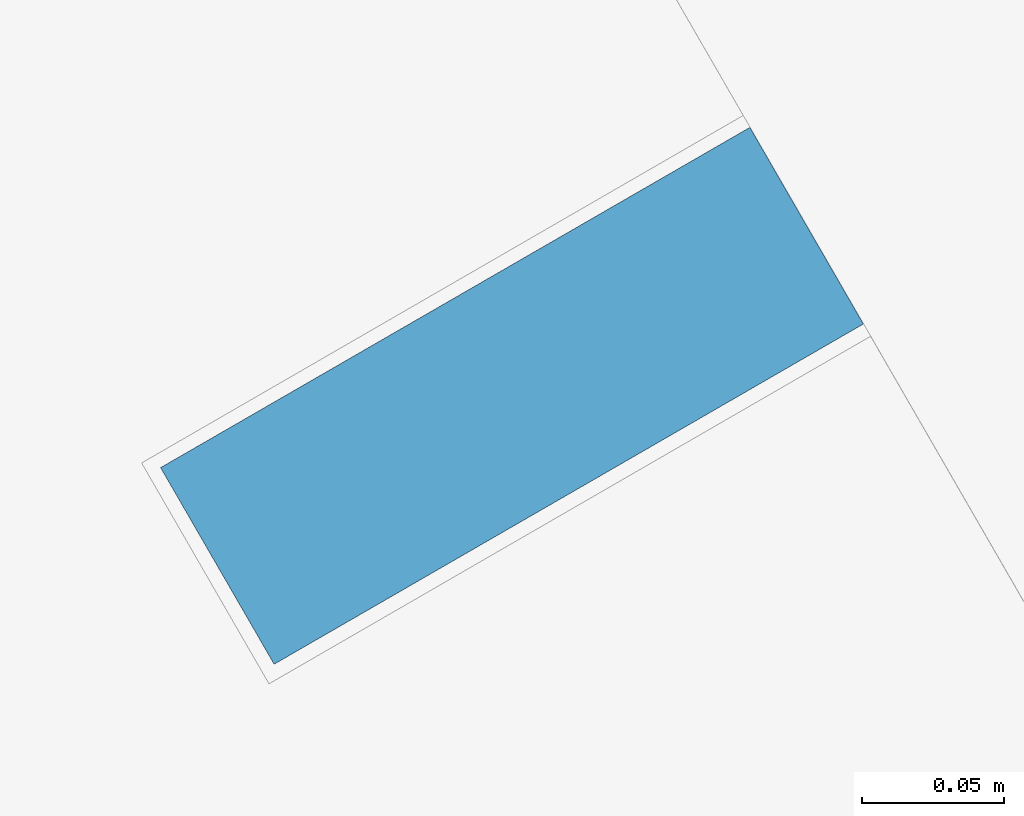
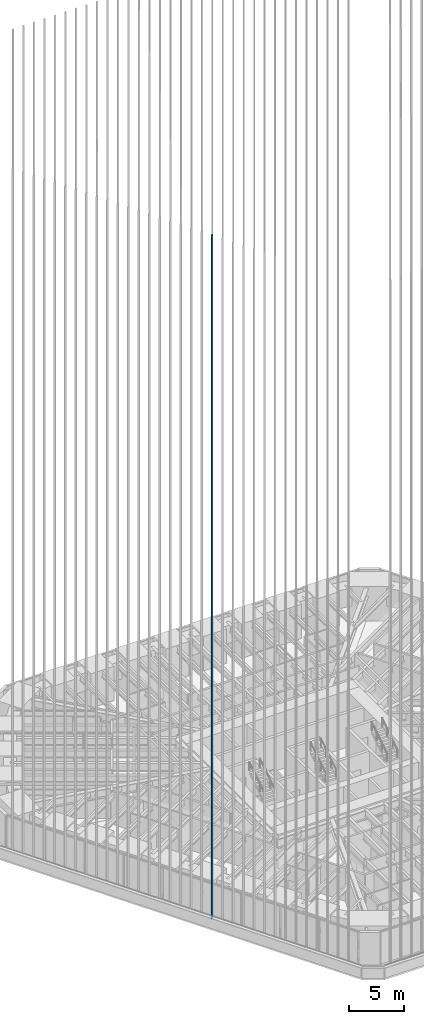
# One storey, part 7 of 238: 1 member, 1 element without a shape of its own.
"""IFC4 building model written with IfcOpenShell, lengths in metres."""

from ifc_helpers import new_model, si_unit, direction, frame, origin, origin_2d, place, context, subcontext, project, spatial, rectangle, extrude, material, material_profile, profile_set, type_object, element, aggregate, save


model = new_model("IFC4")

# Units and contexts
model_context = context("Model", 3, precision=1e-05, world=origin(), true_north=direction((0.0, 1.0)))
body_context = subcontext(model_context, "Body", "Model", "MODEL_VIEW")
ifc_project = project(units=[si_unit("LENGTHUNIT", "METRE"), si_unit("AREAUNIT", "SQUARE_METRE"), si_unit("VOLUMEUNIT", "CUBIC_METRE"), si_unit("PLANEANGLEUNIT", "RADIAN"), si_unit("MASSUNIT", "GRAM", prefix="KILO")], contexts=[model_context])

# Site, building, storey
site_placement = place(None, origin())
site = spatial("IfcSite", under=ifc_project, at=site_placement, CompositionType="ELEMENT")
building_placement = place(site_placement, origin())
building = spatial("IfcBuilding", under=site, at=building_placement, Name="Sandreach Pilgrim Tower", CompositionType="ELEMENT")
storey_placement = place(building_placement, frame((0.0, 0.0, 96.800048828125)))
storey = spatial("IfcBuildingStorey", under=building, at=storey_placement, Name="L23", CompositionType="ELEMENT", Elevation=96.800048828125)

# Curtain wall, member
ifc_material_1 = material(Name="Aluminium framed curtain wall", Category="aluminium")
curtain_wall_type = type_object("IfcCurtainWallType", Name="Hotel tower curtain wall", PredefinedType="NOTDEFINED", material=ifc_material_1)
curtain_wall_placement = place(storey_placement, origin())
curtain_wall = element("IfcCurtainWall", 1, at=curtain_wall_placement, inside=storey, type_object=curtain_wall_type, Name="CW-2 L23 SW", PredefinedType="NOTDEFINED")
ifc_material_2 = material(Name="Extruded terracotta on aluminium core", Category="masonry")
ifc_material_profile = material_profile(ifc_material_2, rectangle(XDim=0.080078125, YDim=0.239990234375, at=origin_2d()), Name="TBW 80X240")
ifc_profile_set = profile_set([ifc_material_profile], Name="Extruded terracotta on aluminium core")
member_type = type_object("IfcMemberType", Name="Terracotta baguette west", PredefinedType="USERDEFINED", material=ifc_profile_set)
member_placement = place(storey_placement, frame((-18.19189453125, -14.318359375, 0.0), z_axis=(0.0, 0.0, 1.0), x_axis=(-0.5, 0.866025403784, 0.0)))
member = element("IfcMember", 2, at=member_placement, type_object=member_type, Name="Baguette Z2 SW14", ObjectType="BAGUETTE", PredefinedType="USERDEFINED", context=body_context, shape_type="SweptSolid", body=[
    extrude(rectangle(XDim=0.080078125, YDim=0.239990234375, at=origin_2d()), origin(), (0.0, 0.0, 1.0), 75.83984375),
])
aggregate(curtain_wall, [member])

save(model, "model.ifc")
